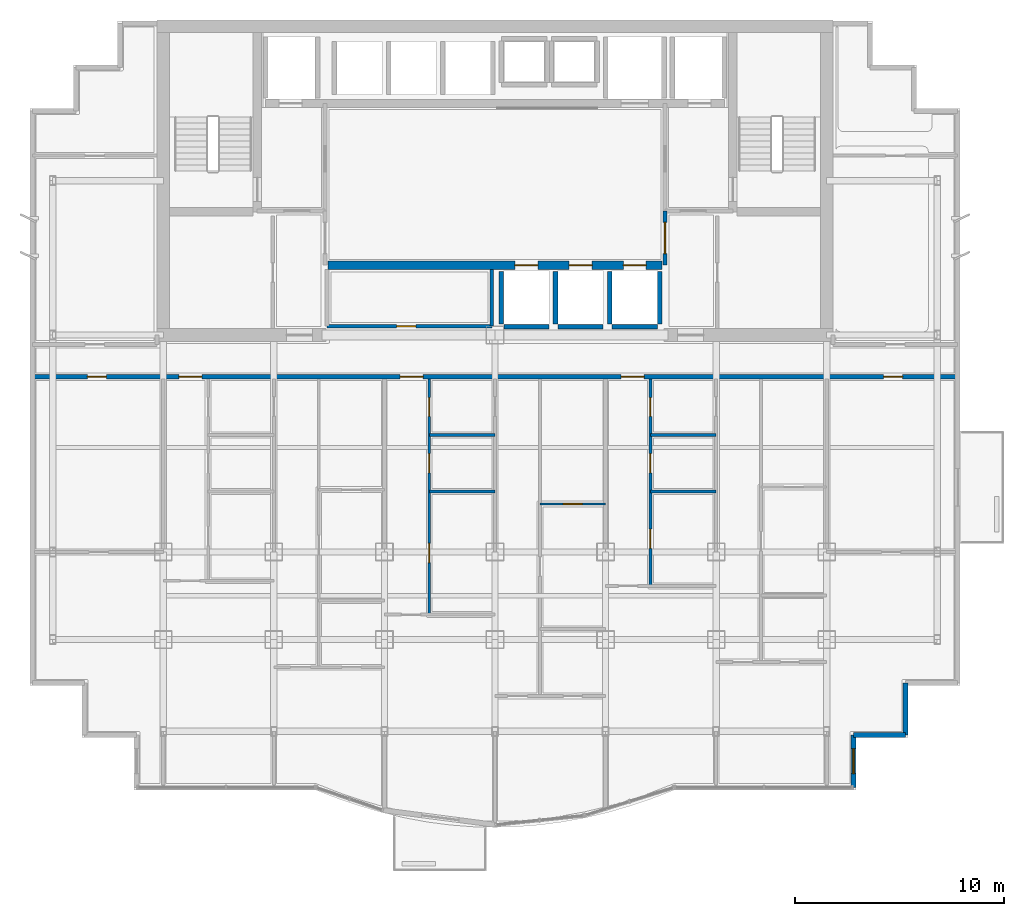
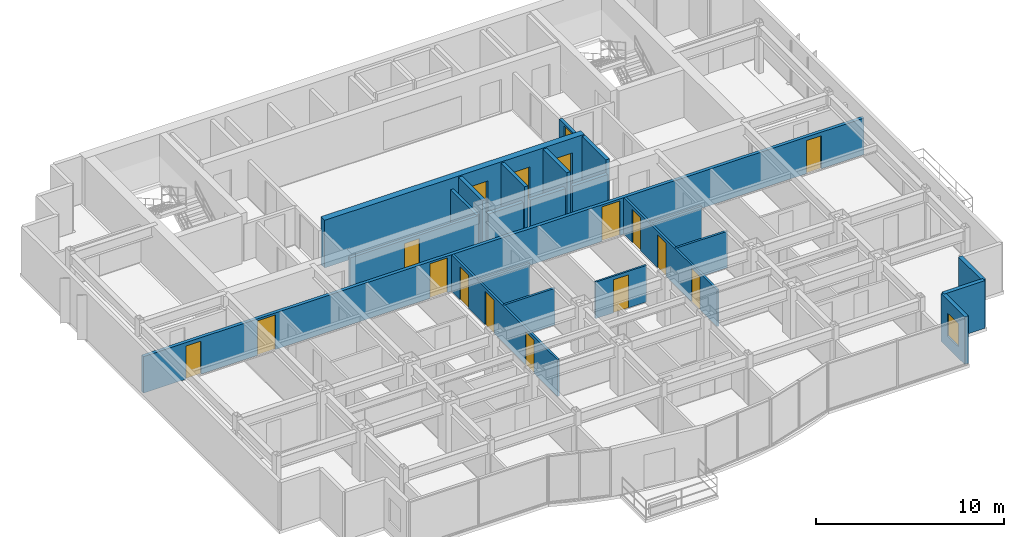
# One storey, part 7 of 11: 22 walls, 17 doors, 1 window, 18 openings.
"""IFC4 building model written with IfcOpenShell, lengths in metres."""

from ifc_helpers import new_model, si_unit, direction, frame, frame_2d, origin, place, context, subcontext, project, spatial, rectangle, extrude, material, layer, layer_set, type_object, element, fill, save


model = new_model("IFC4")

# Units and contexts
model_context = context("Model", 3, precision=1e-05, world=origin(), true_north=direction((0.0, 1.0)))
body_context = subcontext(model_context, "Body", "Model", "MODEL_VIEW")
ifc_project = project(units=[si_unit("LENGTHUNIT", "METRE"), si_unit("AREAUNIT", "SQUARE_METRE"), si_unit("VOLUMEUNIT", "CUBIC_METRE"), si_unit("PLANEANGLEUNIT", "RADIAN"), si_unit("MASSUNIT", "GRAM", prefix="KILO")], contexts=[model_context])

# Site, building, storey
site_placement = place(None, origin())
site = spatial("IfcSite", under=ifc_project, at=site_placement, CompositionType="ELEMENT")
building_placement = place(site_placement, origin())
building = spatial("IfcBuilding", under=site, at=building_placement, Name="Qianlan Lanfeng Residences", CompositionType="ELEMENT")
storey_placement = place(building_placement, frame((0.0, 0.0, 165.60009765625)))
storey = spatial("IfcBuildingStorey", under=building, at=storey_placement, Name="L45", CompositionType="ELEMENT", Elevation=165.60009765625)

# Wall, openings, doors
ifc_material_1 = material(Name="Concrete C56", Category="concrete")
ifc_layer_1 = layer(ifc_material_1, 0.39990234375)
ifc_layer_set_1 = layer_set([ifc_layer_1], Name="Concrete C56")
wall_type_1 = type_object("IfcWallType", Name="CW-RC-400", PredefinedType="SHEAR", material=ifc_layer_set_1)
wall_1_placement = place(storey_placement, frame((18.5, 28.550048828125, 0.0), z_axis=(0.0, 0.0, 1.0), x_axis=(1.0, 0.0, 0.0)))
wall_1 = element("IfcWall", 1, at=wall_1_placement, inside=storey, type_object=wall_type_1, Name="L45 Core Shear Wall LBS", PredefinedType="SHEAR", context=body_context, shape_type="SweptSolid", body=[
    extrude(rectangle(XDim=16.0, YDim=0.39990234375, at=frame_2d((8.0, 0.0))), origin(), (0.0, 0.0, 1.0), 3.099853515625),
])
opening_1_placement = place(wall_1_placement, frame((8.949951171875, 0.0, 0.0)))
opening_1 = element("IfcOpeningElement", 2, at=opening_1_placement, cuts=wall_1, Name="Opening L45-LD-PL-M1", PredefinedType="OPENING", context=body_context, shape_type="SweptSolid", body=[
    extrude(rectangle(XDim=1.10009765625, YDim=2.14990234375, at=frame_2d((0.550048828125, 1.074951171875))), frame((0.0, 0.2099609375, 0.0), z_axis=(0.0, -1.0, 0.0), x_axis=(1.0, 0.0, 0.0)), (0.0, 0.0, 1.0), 0.419921875),
])
opening_2_placement = place(wall_1_placement, frame((11.550048828125, 0.0, 0.0)))
opening_2 = element("IfcOpeningElement", 3, at=opening_2_placement, cuts=wall_1, Name="Opening L45-LD-PL-M2", PredefinedType="OPENING", context=body_context, shape_type="SweptSolid", body=[
    extrude(rectangle(XDim=1.10009765625, YDim=2.14990234375, at=frame_2d((0.550048828125, 1.074951171875))), frame((0.0, 0.2099609375, 0.0), z_axis=(0.0, -1.0, 0.0), x_axis=(1.0, 0.0, 0.0)), (0.0, 0.0, 1.0), 0.419921875),
])
opening_3_placement = place(wall_1_placement, frame((14.14990234375, 0.0, 0.0)))
opening_3 = element("IfcOpeningElement", 4, at=opening_3_placement, cuts=wall_1, Name="Opening L45-LD-PL-M3", PredefinedType="OPENING", context=body_context, shape_type="SweptSolid", body=[
    extrude(rectangle(XDim=1.10009765625, YDim=2.14990234375, at=frame_2d((0.550048828125, 1.074951171875))), frame((0.0, 0.2099609375, 0.0), z_axis=(0.0, -1.0, 0.0), x_axis=(1.0, 0.0, 0.0)), (0.0, 0.0, 1.0), 0.419921875),
])
ifc_material_2 = material(Name="Brushed Stainless Steel Sliding Lift Door", Category="steel")
door_type_1 = type_object("IfcDoorType", Name="LD-01", OperationType="NOTDEFINED", PredefinedType="DOOR", material=ifc_material_2)
door_1_placement = place(opening_1_placement, origin())
door_1 = element("IfcDoor", 5, at=door_1_placement, inside=storey, type_object=door_type_1, Name="L45 Elevator PL-M1 Sliding Landing Door", OperationType="DOUBLE_DOOR_SLIDING", OverallHeight=2.14990234375, OverallWidth=1.10009765625, PredefinedType="DOOR", context=body_context, shape_type="SweptSolid", body=[
    extrude(rectangle(XDim=1.10009765625, YDim=2.14990234375, at=frame_2d((0.550048828125, 1.074951171875))), frame((0.0, 0.02490234375, 0.0), z_axis=(0.0, -1.0, 0.0), x_axis=(1.0, 0.0, 0.0)), (0.0, 0.0, 1.0), 0.050048828125),
])
fill(opening_1, door_1)
door_2_placement = place(opening_2_placement, origin())
door_2 = element("IfcDoor", 6, at=door_2_placement, inside=storey, type_object=door_type_1, Name="L45 Elevator PL-M2 Sliding Landing Door", OperationType="DOUBLE_DOOR_SLIDING", OverallHeight=2.14990234375, OverallWidth=1.10009765625, PredefinedType="DOOR", context=body_context, shape_type="SweptSolid", body=[
    extrude(rectangle(XDim=1.10009765625, YDim=2.14990234375, at=frame_2d((0.550048828125, 1.074951171875))), frame((0.0, 0.02490234375, 0.0), z_axis=(0.0, -1.0, 0.0), x_axis=(1.0, 0.0, 0.0)), (0.0, 0.0, 1.0), 0.050048828125),
])
fill(opening_2, door_2)
door_3_placement = place(opening_3_placement, origin())
door_3 = element("IfcDoor", 7, at=door_3_placement, inside=storey, type_object=door_type_1, Name="L45 Elevator PL-M3 Sliding Landing Door", OperationType="DOUBLE_DOOR_SLIDING", OverallHeight=2.14990234375, OverallWidth=1.10009765625, PredefinedType="DOOR", context=body_context, shape_type="SweptSolid", body=[
    extrude(rectangle(XDim=1.10009765625, YDim=2.14990234375, at=frame_2d((0.550048828125, 1.074951171875))), frame((0.0, 0.02490234375, 0.0), z_axis=(0.0, -1.0, 0.0), x_axis=(1.0, 0.0, 0.0)), (0.0, 0.0, 1.0), 0.050048828125),
])
fill(opening_3, door_3)

# Wall, opening, window
ifc_material_3 = material(Name="Concrete C42", Category="concrete")
ifc_layer_2 = layer(ifc_material_3, 0.239990234375)
ifc_layer_set_2 = layer_set([ifc_layer_2], Name="Concrete C42")
wall_type_2 = type_object("IfcWallType", Name="EW-240", PredefinedType="SOLIDWALL", material=ifc_layer_set_2)
wall_2_placement = place(storey_placement, frame((43.679931640625, 3.52001953125, 0.0), z_axis=(0.0, 0.0, 1.0), x_axis=(0.0, 1.0, 0.0)))
wall_2 = element("IfcWall", 8, at=wall_2_placement, inside=storey, type_object=wall_type_2, Name="L45 Exterior Facade Spandrel Wall 6", PredefinedType="SOLIDWALL", context=body_context, shape_type="SweptSolid", body=[
    extrude(rectangle(XDim=2.5, YDim=0.239990234375, at=frame_2d((1.25, 0.0))), origin(), (0.0, 0.0, 1.0), 3.099853515625),
])
opening_4_placement = place(wall_2_placement, frame((0.64990234375, 0.0, 0.75)))
opening_4 = element("IfcOpeningElement", 9, at=opening_4_placement, cuts=wall_2, Name="Opening W-03", PredefinedType="OPENING", context=body_context, shape_type="SweptSolid", body=[
    extrude(rectangle(XDim=1.199951171875, YDim=1.5, at=frame_2d((0.60009765625, 0.75))), frame((0.0, 0.1298828125, 0.0), z_axis=(0.0, -1.0, 0.0), x_axis=(1.0, 0.0, 0.0)), (0.0, 0.0, 1.0), 0.260009765625),
])
ifc_material_4 = material(Name="Anodised Bronze Aluminium Framed Double Glazing", Category="aluminium")
window_type = type_object("IfcWindowType", Name="W-03", PartitioningType="SINGLE_PANEL", PredefinedType="WINDOW", material=ifc_material_4)
window_placement = place(opening_4_placement, origin())
window = element("IfcWindow", 10, at=window_placement, inside=storey, type_object=window_type, Name="L45 Facade Punched Window W-03", OverallHeight=1.5, OverallWidth=1.199951171875, PartitioningType="SINGLE_PANEL", PredefinedType="WINDOW", context=body_context, shape_type="SweptSolid", body=[
    extrude(rectangle(XDim=1.199951171875, YDim=1.5, at=frame_2d((0.60009765625, 0.75))), frame((0.0, 0.030029296875, 0.0), z_axis=(0.0, -1.0, 0.0), x_axis=(1.0, 0.0, 0.0)), (0.0, 0.0, 1.0), 0.06005859375),
])
fill(opening_4, window)

# Walls
for number, where, z_axis, x_axis, name in (
    (11, (43.679931640625, 6.02001953125, 0.0), (0.0, 0.0, 1.0), (1.0, 0.0, 0.0), "L45 Exterior Facade Spandrel Wall 7"),
    (12, (46.179931640625, 6.02001953125, 0.0), (0.0, 0.0, 1.0), (0.0, 1.0, 0.0), "L45 Exterior Facade Spandrel Wall 8"),
):
    element("IfcWall", number, at=place(storey_placement, frame(where, z_axis=z_axis, x_axis=x_axis)), inside=storey, type_object=wall_type_2, Name=name, PredefinedType="SOLIDWALL", context=body_context, shape_type="SweptSolid", body=[
        extrude(rectangle(XDim=2.5, YDim=0.239990234375, at=frame_2d((1.25, 0.0))), origin(), (0.0, 0.0, 1.0), 3.099853515625),
    ])

# Wall, opening, door
ifc_material_5 = material(Name="Demountable Acoustic Framing Partition 110 mm")
ifc_layer_3 = layer(ifc_material_5, 0.110107421875)
ifc_layer_set_3 = layer_set([ifc_layer_3], Name="Demountable Acoustic Framing Partition 110 mm")
wall_type_3 = type_object("IfcWallType", Name="PW-110", PredefinedType="MOVABLE", material=ifc_layer_set_3)
wall_3_placement = place(storey_placement, frame((28.64990234375, 17.09912109375, 0.0), z_axis=(0.0, 0.0, 1.0), x_axis=(1.0, 0.0, 0.0)))
wall_3 = element("IfcWall", 13, at=wall_3_placement, inside=storey, type_object=wall_type_3, Name="L45 U02 Wardrobe Split", PredefinedType="MOVABLE", context=body_context, shape_type="SweptSolid", body=[
    extrude(rectangle(XDim=3.150146484375, YDim=0.110107421875, at=frame_2d((1.5751953125, 0.0))), origin(), (0.0, 0.0, 1.0), 2.3798828125),
])
opening_5_placement = place(wall_3_placement, frame((1.114990234375, 0.0, 0.0)))
opening_5 = element("IfcOpeningElement", 14, at=opening_5_placement, cuts=wall_3, Name="Opening L45-D33", PredefinedType="OPENING", context=body_context, shape_type="SweptSolid", body=[
    extrude(rectangle(XDim=0.919921875, YDim=2.14990234375, at=frame_2d((0.4599609375, 1.074951171875))), frame((0.0, 0.06494140625, 0.0), z_axis=(0.0, -1.0, 0.0), x_axis=(1.0, 0.0, 0.0)), (0.0, 0.0, 1.0), 0.130126953125),
])
ifc_material_6 = material(Name="Glazed Timber Kitchen/Study Door", Category="wood")
door_type_2 = type_object("IfcDoorType", Name="DT-INT", OperationType="NOTDEFINED", PredefinedType="DOOR", material=ifc_material_6)
door_4_placement = place(opening_5_placement, origin())
door_4 = element("IfcDoor", 15, at=door_4_placement, inside=storey, type_object=door_type_2, Name="L45 U02 Dressing Inner Door L45-D33 (DT-INT)", OperationType="SINGLE_SWING_RIGHT", OverallHeight=2.14990234375, OverallWidth=0.919921875, PredefinedType="DOOR", context=body_context, shape_type="SweptSolid", body=[
    extrude(rectangle(XDim=0.919921875, YDim=2.14990234375, at=frame_2d((0.4599609375, 1.074951171875))), frame((0.0, 0.02490234375, 0.0), z_axis=(0.0, -1.0, 0.0), x_axis=(1.0, 0.0, 0.0)), (0.0, 0.0, 1.0), 0.050048828125),
])
fill(opening_5, door_4)

# Wall, openings, doors
ifc_material_7 = material(Name="Moisture-Resistant Gypsum Partition 135 mm")
ifc_layer_4 = layer(ifc_material_7, 0.135009765625)
ifc_layer_set_4 = layer_set([ifc_layer_4], Name="Moisture-Resistant Gypsum Partition 135 mm")
wall_type_4 = type_object("IfcWallType", Name="PW-135", PredefinedType="PARTITIONING", material=ifc_layer_set_4)
wall_4_placement = place(storey_placement, frame((23.35009765625, 11.799072265625, 0.0), z_axis=(0.0, 0.0, 1.0), x_axis=(0.0, 1.0, 0.0)))
wall_4 = element("IfcWall", 16, at=wall_4_placement, inside=storey, type_object=wall_type_4, Name="L45 U02 Entry Hall Spine", PredefinedType="PARTITIONING", context=body_context, shape_type="SweptSolid", body=[
    extrude(rectangle(XDim=11.301025390625, YDim=0.135009765625, at=frame_2d((5.650390625, 0.0))), origin(), (0.0, 0.0, 1.0), 2.3798828125),
])
opening_6_placement = place(wall_4_placement, frame((2.489990234375, 0.0, 0.0)))
opening_6 = element("IfcOpeningElement", 17, at=opening_6_placement, cuts=wall_4, Name="Opening L45-D27", PredefinedType="OPENING", context=body_context, shape_type="SweptSolid", body=[
    extrude(rectangle(XDim=0.919921875, YDim=2.14990234375, at=frame_2d((0.4599609375, 1.074951171875))), frame((0.0, 0.07763671875, 0.0), z_axis=(0.0, -1.0, 0.0), x_axis=(1.0, 0.0, 0.0)), (0.0, 0.0, 1.0), 0.155029296875),
])
opening_7_placement = place(wall_4_placement, frame((6.791015625, 0.0, 0.0)))
opening_7 = element("IfcOpeningElement", 18, at=opening_7_placement, cuts=wall_4, Name="Opening L45-D28", PredefinedType="OPENING", context=body_context, shape_type="SweptSolid", body=[
    extrude(rectangle(XDim=0.919921875, YDim=2.14990234375, at=frame_2d((0.4599609375, 1.074951171875))), frame((0.0, 0.07763671875, 0.0), z_axis=(0.0, -1.0, 0.0), x_axis=(1.0, 0.0, 0.0)), (0.0, 0.0, 1.0), 0.155029296875),
])
opening_8_placement = place(wall_4_placement, frame((9.5009765625, 0.0, 0.0)))
opening_8 = element("IfcOpeningElement", 19, at=opening_8_placement, cuts=wall_4, Name="Opening L45-D29", PredefinedType="OPENING", context=body_context, shape_type="SweptSolid", body=[
    extrude(rectangle(XDim=0.89990234375, YDim=2.14990234375, at=frame_2d((0.449951171875, 1.074951171875))), frame((0.0, 0.07763671875, 0.0), z_axis=(0.0, -1.0, 0.0), x_axis=(1.0, 0.0, 0.0)), (0.0, 0.0, 1.0), 0.155029296875),
])
door_5_placement = place(opening_6_placement, origin())
door_5 = element("IfcDoor", 20, at=door_5_placement, inside=storey, type_object=door_type_2, Name="L45 U02 Study Door L45-D27 (DT-INT)", OperationType="SINGLE_SWING_RIGHT", OverallHeight=2.14990234375, OverallWidth=0.919921875, PredefinedType="DOOR", context=body_context, shape_type="SweptSolid", body=[
    extrude(rectangle(XDim=0.919921875, YDim=2.14990234375, at=frame_2d((0.4599609375, 1.074951171875))), frame((0.0, 0.02490234375, 0.0), z_axis=(0.0, -1.0, 0.0), x_axis=(1.0, 0.0, 0.0)), (0.0, 0.0, 1.0), 0.050048828125),
])
fill(opening_6, door_5)
door_6_placement = place(opening_7_placement, origin())
door_6 = element("IfcDoor", 21, at=door_6_placement, inside=storey, type_object=door_type_2, Name="L45 U02 Kitchen Door L45-D28 (DT-INT)", OperationType="SINGLE_SWING_LEFT", OverallHeight=2.14990234375, OverallWidth=0.919921875, PredefinedType="DOOR", context=body_context, shape_type="SweptSolid", body=[
    extrude(rectangle(XDim=0.919921875, YDim=2.14990234375, at=frame_2d((0.4599609375, 1.074951171875))), frame((0.0, 0.02490234375, 0.0), z_axis=(0.0, -1.0, 0.0), x_axis=(1.0, 0.0, 0.0)), (0.0, 0.0, 1.0), 0.050048828125),
])
fill(opening_7, door_6)
ifc_material_8 = material(Name="Moisture-Resistant Timber Leaf", Category="wood")
door_type_3 = type_object("IfcDoorType", Name="DT-WC", OperationType="NOTDEFINED", PredefinedType="DOOR", material=ifc_material_8)
door_7_placement = place(opening_8_placement, origin())
door_7 = element("IfcDoor", 22, at=door_7_placement, inside=storey, type_object=door_type_3, Name="L45 U02 Bathroom Door L45-D29 (DT-WC)", OperationType="SINGLE_SWING_RIGHT", OverallHeight=2.14990234375, OverallWidth=0.89990234375, PredefinedType="DOOR", context=body_context, shape_type="SweptSolid", body=[
    extrude(rectangle(XDim=0.89990234375, YDim=2.14990234375, at=frame_2d((0.449951171875, 1.074951171875))), frame((0.0, 0.02490234375, 0.0), z_axis=(0.0, -1.0, 0.0), x_axis=(1.0, 0.0, 0.0)), (0.0, 0.0, 1.0), 0.050048828125),
])
fill(opening_8, door_7)

# Walls
for number, where, z_axis, x_axis, name in (
    (23, (23.35009765625, 17.699951171875, 0.0), (0.0, 0.0, 1.0), (1.0, 0.0, 0.0), "L45 U02 Kitchen South Wall"),
    (24, (23.35009765625, 20.39990234375, 0.0), (0.0, 0.0, 1.0), (1.0, 0.0, 0.0), "L45 U02 Bathroom South Wall"),
):
    element("IfcWall", number, at=place(storey_placement, frame(where, z_axis=z_axis, x_axis=x_axis)), inside=storey, type_object=wall_type_4, Name=name, PredefinedType="PARTITIONING", context=body_context, shape_type="SweptSolid", body=[
        extrude(rectangle(XDim=3.14990234375, YDim=0.135009765625, at=frame_2d((1.574951171875, 0.0))), origin(), (0.0, 0.0, 1.0), 2.3798828125),
    ])

# Wall, openings, doors
wall_5_placement = place(storey_placement, frame((33.949951171875, 13.174072265625, 0.0), z_axis=(0.0, 0.0, 1.0), x_axis=(0.0, 1.0, 0.0)))
wall_5 = element("IfcWall", 25, at=wall_5_placement, inside=storey, type_object=wall_type_4, Name="L45 U03 Entry Hall Spine", PredefinedType="PARTITIONING", context=body_context, shape_type="SweptSolid", body=[
    extrude(rectangle(XDim=9.926025390625, YDim=0.135009765625, at=frame_2d((4.962890625, 0.0))), origin(), (0.0, 0.0, 1.0), 2.3798828125),
])
opening_9_placement = place(wall_5_placement, frame((1.802978515625, 0.0, 0.0)))
opening_9 = element("IfcOpeningElement", 26, at=opening_9_placement, cuts=wall_5, Name="Opening L45-D37", PredefinedType="OPENING", context=body_context, shape_type="SweptSolid", body=[
    extrude(rectangle(XDim=0.919921875, YDim=2.14990234375, at=frame_2d((0.4599609375, 1.074951171875))), frame((0.0, 0.07763671875, 0.0), z_axis=(0.0, -1.0, 0.0), x_axis=(1.0, 0.0, 0.0)), (0.0, 0.0, 1.0), 0.155029296875),
])
opening_10_placement = place(wall_5_placement, frame((5.416015625, 0.0, 0.0)))
opening_10 = element("IfcOpeningElement", 27, at=opening_10_placement, cuts=wall_5, Name="Opening L45-D38", PredefinedType="OPENING", context=body_context, shape_type="SweptSolid", body=[
    extrude(rectangle(XDim=0.919921875, YDim=2.14990234375, at=frame_2d((0.4599609375, 1.074951171875))), frame((0.0, 0.07763671875, 0.0), z_axis=(0.0, -1.0, 0.0), x_axis=(1.0, 0.0, 0.0)), (0.0, 0.0, 1.0), 0.155029296875),
])
opening_11_placement = place(wall_5_placement, frame((8.1259765625, 0.0, 0.0)))
opening_11 = element("IfcOpeningElement", 28, at=opening_11_placement, cuts=wall_5, Name="Opening L45-D39", PredefinedType="OPENING", context=body_context, shape_type="SweptSolid", body=[
    extrude(rectangle(XDim=0.89990234375, YDim=2.14990234375, at=frame_2d((0.449951171875, 1.074951171875))), frame((0.0, 0.07763671875, 0.0), z_axis=(0.0, -1.0, 0.0), x_axis=(1.0, 0.0, 0.0)), (0.0, 0.0, 1.0), 0.155029296875),
])
door_8_placement = place(opening_9_placement, origin())
door_8 = element("IfcDoor", 29, at=door_8_placement, inside=storey, type_object=door_type_2, Name="L45 U03 Study Door L45-D37 (DT-INT)", OperationType="SINGLE_SWING_RIGHT", OverallHeight=2.14990234375, OverallWidth=0.919921875, PredefinedType="DOOR", context=body_context, shape_type="SweptSolid", body=[
    extrude(rectangle(XDim=0.919921875, YDim=2.14990234375, at=frame_2d((0.4599609375, 1.074951171875))), frame((0.0, 0.02490234375, 0.0), z_axis=(0.0, -1.0, 0.0), x_axis=(1.0, 0.0, 0.0)), (0.0, 0.0, 1.0), 0.050048828125),
])
fill(opening_9, door_8)
door_9_placement = place(opening_10_placement, origin())
door_9 = element("IfcDoor", 30, at=door_9_placement, inside=storey, type_object=door_type_2, Name="L45 U03 Kitchen Door L45-D38 (DT-INT)", OperationType="SINGLE_SWING_LEFT", OverallHeight=2.14990234375, OverallWidth=0.919921875, PredefinedType="DOOR", context=body_context, shape_type="SweptSolid", body=[
    extrude(rectangle(XDim=0.919921875, YDim=2.14990234375, at=frame_2d((0.4599609375, 1.074951171875))), frame((0.0, 0.02490234375, 0.0), z_axis=(0.0, -1.0, 0.0), x_axis=(1.0, 0.0, 0.0)), (0.0, 0.0, 1.0), 0.050048828125),
])
fill(opening_10, door_9)
door_10_placement = place(opening_11_placement, origin())
door_10 = element("IfcDoor", 31, at=door_10_placement, inside=storey, type_object=door_type_3, Name="L45 U03 Bathroom Door L45-D39 (DT-WC)", OperationType="SINGLE_SWING_RIGHT", OverallHeight=2.14990234375, OverallWidth=0.89990234375, PredefinedType="DOOR", context=body_context, shape_type="SweptSolid", body=[
    extrude(rectangle(XDim=0.89990234375, YDim=2.14990234375, at=frame_2d((0.449951171875, 1.074951171875))), frame((0.0, 0.02490234375, 0.0), z_axis=(0.0, -1.0, 0.0), x_axis=(1.0, 0.0, 0.0)), (0.0, 0.0, 1.0), 0.050048828125),
])
fill(opening_11, door_10)

# Walls
for number, where, z_axis, x_axis, name in (
    (32, (33.949951171875, 17.699951171875, 0.0), (0.0, 0.0, 1.0), (1.0, 0.0, 0.0), "L45 U03 Kitchen South Wall"),
    (33, (33.949951171875, 20.39990234375, 0.0), (0.0, 0.0, 1.0), (1.0, 0.0, 0.0), "L45 U03 Bathroom South Wall"),
):
    element("IfcWall", number, at=place(storey_placement, frame(where, z_axis=z_axis, x_axis=x_axis)), inside=storey, type_object=wall_type_4, Name=name, PredefinedType="PARTITIONING", context=body_context, shape_type="SweptSolid", body=[
        extrude(rectangle(XDim=3.150146484375, YDim=0.135009765625, at=frame_2d((1.5751953125, 0.0))), origin(), (0.0, 0.0, 1.0), 2.3798828125),
    ])
ifc_material_9 = material(Name="Double-Layer Acoustic Gypsum Stud Wall 180 mm")
ifc_layer_5 = layer(ifc_material_9, 0.179931640625)
ifc_layer_set_5 = layer_set([ifc_layer_5], Name="Double-Layer Acoustic Gypsum Stud Wall 180 mm")
wall_type_5 = type_object("IfcWallType", Name="PW-180", PredefinedType="PARTITIONING", material=ifc_layer_set_5)
wall_6_placement = place(storey_placement, frame((26.35009765625, 25.6201171875, 0.0), z_axis=(0.0, 0.0, 1.0), x_axis=(0.0, 1.0, 0.0)))
element("IfcWall", 34, at=wall_6_placement, inside=storey, type_object=wall_type_5, Name="L45 Reclaimed Low-Bank Room East Wall", PredefinedType="PARTITIONING", context=body_context, shape_type="SweptSolid", body=[
    extrude(rectangle(XDim=2.72998046875, YDim=0.179931640625, at=frame_2d((1.364990234375, 0.0))), origin(), (0.0, 0.0, 1.0), 2.3798828125),
])

# Wall, opening, door
wall_7_placement = place(storey_placement, frame((18.449951171875, 25.6201171875, 0.0), z_axis=(0.0, 0.0, 1.0), x_axis=(1.0, 0.0, 0.0)))
wall_7 = element("IfcWall", 35, at=wall_7_placement, inside=storey, type_object=wall_type_5, Name="L45 Reclaimed Low-Bank Room South Wall", PredefinedType="PARTITIONING", context=body_context, shape_type="SweptSolid", body=[
    extrude(rectangle(XDim=7.900146484375, YDim=0.179931640625, at=frame_2d((3.9501953125, 0.0))), origin(), (0.0, 0.0, 1.0), 2.3798828125),
])
opening_12_placement = place(wall_7_placement, frame((3.340087890625, 0.0, 0.0)))
opening_12 = element("IfcOpeningElement", 36, at=opening_12_placement, cuts=wall_7, Name="Opening L45-D13", PredefinedType="OPENING", context=body_context, shape_type="SweptSolid", body=[
    extrude(rectangle(XDim=0.919921875, YDim=2.14990234375, at=frame_2d((0.4599609375, 1.074951171875))), frame((0.0, 0.10009765625, 0.0), z_axis=(0.0, -1.0, 0.0), x_axis=(1.0, 0.0, 0.0)), (0.0, 0.0, 1.0), 0.199951171875),
])
door_11_placement = place(opening_12_placement, origin())
door_11 = element("IfcDoor", 37, at=door_11_placement, inside=storey, type_object=door_type_2, Name="L45 Reclaimed Core Salon Door L45-D13 (DT-INT)", OperationType="SINGLE_SWING_RIGHT", OverallHeight=2.14990234375, OverallWidth=0.919921875, PredefinedType="DOOR", context=body_context, shape_type="SweptSolid", body=[
    extrude(rectangle(XDim=0.919921875, YDim=2.14990234375, at=frame_2d((0.4599609375, 1.074951171875))), frame((0.0, 0.02490234375, 0.0), z_axis=(0.0, -1.0, 0.0), x_axis=(1.0, 0.0, 0.0)), (0.0, 0.0, 1.0), 0.050048828125),
])
fill(opening_12, door_11)

ifc_material_10 = material(Name="Autoclaved Aerated Concrete Blockwork 200 mm", Category="masonry")
ifc_layer_6 = layer(ifc_material_10, 0.199951171875)
ifc_layer_set_6 = layer_set([ifc_layer_6], Name="Autoclaved Aerated Concrete Blockwork 200 mm")
wall_type_6 = type_object("IfcWallType", Name="PW-200", PredefinedType="PARTITIONING", material=ifc_layer_set_6)
wall_8_placement = place(storey_placement, frame((34.64990234375, 28.550048828125, 0.0), z_axis=(0.0, 0.0, 1.0), x_axis=(0.0, 1.0, 0.0)))
wall_8 = element("IfcWall", 38, at=wall_8_placement, inside=storey, type_object=wall_type_6, Name="L45 Lift Lobby East Connector Wall", PredefinedType="PARTITIONING", context=body_context, shape_type="SweptSolid", body=[
    extrude(rectangle(XDim=2.599853515625, YDim=0.199951171875, at=frame_2d((1.2998046875, 0.0))), origin(), (0.0, 0.0, 1.0), 2.3798828125),
])
opening_13_placement = place(wall_8_placement, frame((0.550048828125, 0.0, 0.0)))
opening_13 = element("IfcOpeningElement", 39, at=opening_13_placement, cuts=wall_8, Name="Opening L45-D12", PredefinedType="OPENING", context=body_context, shape_type="SweptSolid", body=[
    extrude(rectangle(XDim=1.5, YDim=2.25, at=frame_2d((0.75, 1.125))), frame((0.0, 0.10986328125, 0.0), z_axis=(0.0, -1.0, 0.0), x_axis=(1.0, 0.0, 0.0)), (0.0, 0.0, 1.0), 0.219970703125),
])
ifc_material_11 = material(Name="Timber Veneer Acoustic Fire Door", Category="wood")
door_type_4 = type_object("IfcDoorType", Name="DT-COR1", OperationType="NOTDEFINED", PredefinedType="DOOR", material=ifc_material_11)
door_12_placement = place(opening_13_placement, frame((1.5, 0.0, 0.0), z_axis=(0.0, 0.0, 1.0), x_axis=(-1.0, 0.0, 0.0)))
door_12 = element("IfcDoor", 40, at=door_12_placement, inside=storey, type_object=door_type_4, Name="L45 Lift Lobby East Portal Door L45-D12 (DT-COR1)", OperationType="DOUBLE_DOOR_SINGLE_SWING", OverallHeight=2.25, OverallWidth=1.5, PredefinedType="DOOR", context=body_context, shape_type="SweptSolid", body=[
    extrude(rectangle(XDim=1.5, YDim=2.25, at=frame_2d((0.75, 1.125))), frame((0.0, 0.02490234375, 0.0), z_axis=(0.0, -1.0, 0.0), x_axis=(1.0, 0.0, 0.0)), (0.0, 0.0, 1.0), 0.050048828125),
])
fill(opening_13, door_12)

# Wall, openings, doors
wall_9_placement = place(storey_placement, frame((4.320068359375, 23.199951171875, 0.0), z_axis=(0.0, 0.0, 1.0), x_axis=(1.0, 0.0, 0.0)))
wall_9 = element("IfcWall", 41, at=wall_9_placement, inside=storey, type_object=wall_type_6, Name="L45 Residential Corridor South Fire Wall", PredefinedType="PARTITIONING", context=body_context, shape_type="SweptSolid", body=[
    extrude(rectangle(XDim=44.35986328125, YDim=0.199951171875, at=frame_2d((22.179931640625, 0.0))), origin(), (0.0, 0.0, 1.0), 2.3798828125),
])
opening_14_placement = place(wall_9_placement, frame((7.030029296875, 0.0, 0.0)))
opening_14 = element("IfcOpeningElement", 42, at=opening_14_placement, cuts=wall_9, Name="Opening L45-D14", PredefinedType="OPENING", context=body_context, shape_type="SweptSolid", body=[
    extrude(rectangle(XDim=1.10009765625, YDim=2.25, at=frame_2d((0.550048828125, 1.125))), frame((0.0, 0.10986328125, 0.0), z_axis=(0.0, -1.0, 0.0), x_axis=(1.0, 0.0, 0.0)), (0.0, 0.0, 1.0), 0.219970703125),
])
opening_15_placement = place(wall_9_placement, frame((17.6298828125, 0.0, 0.0)))
opening_15 = element("IfcOpeningElement", 43, at=opening_15_placement, cuts=wall_9, Name="Opening L45-D24", PredefinedType="OPENING", context=body_context, shape_type="SweptSolid", body=[
    extrude(rectangle(XDim=1.10009765625, YDim=2.25, at=frame_2d((0.550048828125, 1.125))), frame((0.0, 0.10986328125, 0.0), z_axis=(0.0, -1.0, 0.0), x_axis=(1.0, 0.0, 0.0)), (0.0, 0.0, 1.0), 0.219970703125),
])
opening_16_placement = place(wall_9_placement, frame((28.22998046875, 0.0, 0.0)))
opening_16 = element("IfcOpeningElement", 44, at=opening_16_placement, cuts=wall_9, Name="Opening L45-D34", PredefinedType="OPENING", context=body_context, shape_type="SweptSolid", body=[
    extrude(rectangle(XDim=1.10009765625, YDim=2.25, at=frame_2d((0.550048828125, 1.125))), frame((0.0, 0.10986328125, 0.0), z_axis=(0.0, -1.0, 0.0), x_axis=(1.0, 0.0, 0.0)), (0.0, 0.0, 1.0), 0.219970703125),
])
opening_17_placement = place(wall_9_placement, frame((2.635009765625, 0.0, 0.0)))
opening_17 = element("IfcOpeningElement", 45, at=opening_17_placement, cuts=wall_9, Name="Opening L45-D45", PredefinedType="OPENING", context=body_context, shape_type="SweptSolid", body=[
    extrude(rectangle(XDim=0.919921875, YDim=2.14990234375, at=frame_2d((0.4599609375, 1.074951171875))), frame((0.0, 0.10986328125, 0.0), z_axis=(0.0, -1.0, 0.0), x_axis=(1.0, 0.0, 0.0)), (0.0, 0.0, 1.0), 0.219970703125),
])
opening_18_placement = place(wall_9_placement, frame((40.804931640625, 0.0, 0.0)))
opening_18 = element("IfcOpeningElement", 46, at=opening_18_placement, cuts=wall_9, Name="Opening L45-D47", PredefinedType="OPENING", context=body_context, shape_type="SweptSolid", body=[
    extrude(rectangle(XDim=0.919921875, YDim=2.14990234375, at=frame_2d((0.4599609375, 1.074951171875))), frame((0.0, 0.10986328125, 0.0), z_axis=(0.0, -1.0, 0.0), x_axis=(1.0, 0.0, 0.0)), (0.0, 0.0, 1.0), 0.219970703125),
])
door_13_placement = place(opening_17_placement, origin())
door_13 = element("IfcDoor", 47, at=door_13_placement, inside=storey, type_object=door_type_2, Name="L45 SWP Corridor Door L45-D45 (DT-INT)", OperationType="SINGLE_SWING_RIGHT", OverallHeight=2.14990234375, OverallWidth=0.919921875, PredefinedType="DOOR", context=body_context, shape_type="SweptSolid", body=[
    extrude(rectangle(XDim=0.919921875, YDim=2.14990234375, at=frame_2d((0.4599609375, 1.074951171875))), frame((0.0, 0.02490234375, 0.0), z_axis=(0.0, -1.0, 0.0), x_axis=(1.0, 0.0, 0.0)), (0.0, 0.0, 1.0), 0.050048828125),
])
fill(opening_17, door_13)
door_14_placement = place(opening_18_placement, origin())
door_14 = element("IfcDoor", 48, at=door_14_placement, inside=storey, type_object=door_type_2, Name="L45 SEP Corridor Door L45-D47 (DT-INT)", OperationType="SINGLE_SWING_RIGHT", OverallHeight=2.14990234375, OverallWidth=0.919921875, PredefinedType="DOOR", context=body_context, shape_type="SweptSolid", body=[
    extrude(rectangle(XDim=0.919921875, YDim=2.14990234375, at=frame_2d((0.4599609375, 1.074951171875))), frame((0.0, 0.02490234375, 0.0), z_axis=(0.0, -1.0, 0.0), x_axis=(1.0, 0.0, 0.0)), (0.0, 0.0, 1.0), 0.050048828125),
])
fill(opening_18, door_14)
ifc_material_12 = material(Name="Solid-Core Oak Veneer Fire Door")
door_type_5 = type_object("IfcDoorType", Name="DT-UNIT", OperationType="NOTDEFINED", PredefinedType="DOOR", material=ifc_material_12)
door_15_placement = place(opening_14_placement, frame((1.10009765625, 0.0, 0.0), z_axis=(0.0, 0.0, 1.0), x_axis=(-1.0, 0.0, 0.0)))
door_15 = element("IfcDoor", 49, at=door_15_placement, inside=storey, type_object=door_type_5, Name="L45 Apartment U01 Entrance Door L45-D14 (DT-UNIT)", OperationType="SINGLE_SWING_RIGHT", OverallHeight=2.25, OverallWidth=1.10009765625, PredefinedType="DOOR", context=body_context, shape_type="SweptSolid", body=[
    extrude(rectangle(XDim=1.10009765625, YDim=2.25, at=frame_2d((0.550048828125, 1.125))), frame((0.0, 0.02490234375, 0.0), z_axis=(0.0, -1.0, 0.0), x_axis=(1.0, 0.0, 0.0)), (0.0, 0.0, 1.0), 0.050048828125),
])
fill(opening_14, door_15)
door_16_placement = place(opening_15_placement, origin())
door_16 = element("IfcDoor", 50, at=door_16_placement, inside=storey, type_object=door_type_5, Name="L45 Apartment U02 Entrance Door L45-D24 (DT-UNIT)", OperationType="SINGLE_SWING_RIGHT", OverallHeight=2.25, OverallWidth=1.10009765625, PredefinedType="DOOR", context=body_context, shape_type="SweptSolid", body=[
    extrude(rectangle(XDim=1.10009765625, YDim=2.25, at=frame_2d((0.550048828125, 1.125))), frame((0.0, 0.02490234375, 0.0), z_axis=(0.0, -1.0, 0.0), x_axis=(1.0, 0.0, 0.0)), (0.0, 0.0, 1.0), 0.050048828125),
])
fill(opening_15, door_16)
door_17_placement = place(opening_16_placement, frame((1.10009765625, 0.0, 0.0), z_axis=(0.0, 0.0, 1.0), x_axis=(-1.0, 0.0, 0.0)))
door_17 = element("IfcDoor", 51, at=door_17_placement, inside=storey, type_object=door_type_5, Name="L45 Apartment U03 Entrance Door L45-D34 (DT-UNIT)", OperationType="SINGLE_SWING_RIGHT", OverallHeight=2.25, OverallWidth=1.10009765625, PredefinedType="DOOR", context=body_context, shape_type="SweptSolid", body=[
    extrude(rectangle(XDim=1.10009765625, YDim=2.25, at=frame_2d((0.550048828125, 1.125))), frame((0.0, 0.02490234375, 0.0), z_axis=(0.0, -1.0, 0.0), x_axis=(1.0, 0.0, 0.0)), (0.0, 0.0, 1.0), 0.050048828125),
])
fill(opening_16, door_17)

# Walls
ifc_material_13 = material(Name="Concrete C49", Category="concrete")
ifc_layer_7 = layer(ifc_material_13, 0.219970703125)
ifc_layer_set_7 = layer_set([ifc_layer_7], Name="Concrete C49")
wall_type_7 = type_object("IfcWallType", Name="SHW-220", PredefinedType="SOLIDWALL", material=ifc_layer_set_7)
wall_10_placement = place(storey_placement, frame((26.800048828125, 25.719970703125, 0.0), z_axis=(0.0, 0.0, 1.0), x_axis=(0.0, 1.0, 0.0)))
element("IfcWall", 52, at=wall_10_placement, inside=storey, type_object=wall_type_7, Name="L45 Lift PL-M1 Shaft Wall W", PredefinedType="SOLIDWALL", context=body_context, shape_type="SweptSolid", body=[
    extrude(rectangle(XDim=2.530029296875, YDim=0.219970703125, at=frame_2d((1.26513671875, 0.0))), origin(), (0.0, 0.0, 1.0), 3.099853515625),
])
wall_11_placement = place(storey_placement, frame((26.919921875, 25.60009765625, 0.0), z_axis=(0.0, 0.0, 1.0), x_axis=(1.0, 0.0, 0.0)))
element("IfcWall", 53, at=wall_11_placement, inside=storey, type_object=wall_type_7, Name="L45 Lift PL-M1 Shaft Back Wall S", PredefinedType="SOLIDWALL", context=body_context, shape_type="SweptSolid", body=[
    extrude(rectangle(XDim=2.16015625, YDim=0.219970703125, at=frame_2d((1.080078125, 0.0))), origin(), (0.0, 0.0, 1.0), 2.294921875),
])
wall_12_placement = place(storey_placement, frame((29.39990234375, 25.719970703125, 0.0), z_axis=(0.0, 0.0, 1.0), x_axis=(0.0, 1.0, 0.0)))
element("IfcWall", 54, at=wall_12_placement, inside=storey, type_object=wall_type_7, Name="L45 Lift PL-M2 Shaft Wall W", PredefinedType="SOLIDWALL", context=body_context, shape_type="SweptSolid", body=[
    extrude(rectangle(XDim=2.530029296875, YDim=0.219970703125, at=frame_2d((1.26513671875, 0.0))), origin(), (0.0, 0.0, 1.0), 3.099853515625),
])
wall_13_placement = place(storey_placement, frame((29.52001953125, 25.60009765625, 0.0), z_axis=(0.0, 0.0, 1.0), x_axis=(1.0, 0.0, 0.0)))
element("IfcWall", 55, at=wall_13_placement, inside=storey, type_object=wall_type_7, Name="L45 Lift PL-M2 Shaft Back Wall S", PredefinedType="SOLIDWALL", context=body_context, shape_type="SweptSolid", body=[
    extrude(rectangle(XDim=2.159912109375, YDim=0.219970703125, at=frame_2d((1.080078125, 0.0))), origin(), (0.0, 0.0, 1.0), 2.294921875),
])
for number, where, z_axis, x_axis, name in (
    (56, (32.0, 25.719970703125, 0.0), (0.0, 0.0, 1.0), (0.0, 1.0, 0.0), "L45 Lift PL-M3 Shaft Wall W"),
    (57, (34.39990234375, 25.719970703125, 0.0), (0.0, 0.0, 1.0), (0.0, 1.0, 0.0), "L45 Lift PL-M3 Shaft Wall E"),
):
    element("IfcWall", number, at=place(storey_placement, frame(where, z_axis=z_axis, x_axis=x_axis)), inside=storey, type_object=wall_type_7, Name=name, PredefinedType="SOLIDWALL", context=body_context, shape_type="SweptSolid", body=[
        extrude(rectangle(XDim=2.530029296875, YDim=0.219970703125, at=frame_2d((1.26513671875, 0.0))), origin(), (0.0, 0.0, 1.0), 3.099853515625),
    ])
wall_14_placement = place(storey_placement, frame((32.1201171875, 25.60009765625, 0.0), z_axis=(0.0, 0.0, 1.0), x_axis=(1.0, 0.0, 0.0)))
element("IfcWall", 58, at=wall_14_placement, inside=storey, type_object=wall_type_7, Name="L45 Lift PL-M3 Shaft Back Wall S", PredefinedType="SOLIDWALL", context=body_context, shape_type="SweptSolid", body=[
    extrude(rectangle(XDim=2.159912109375, YDim=0.219970703125, at=frame_2d((1.080078125, 0.0))), origin(), (0.0, 0.0, 1.0), 2.294921875),
])

save(model, "model.ifc")
